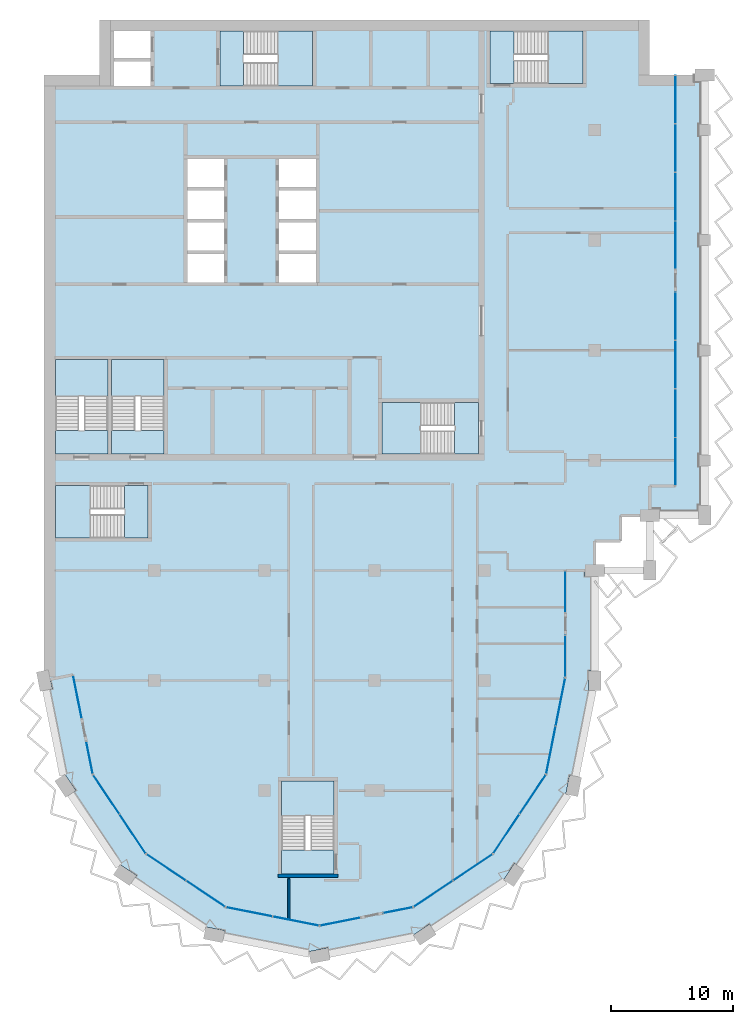
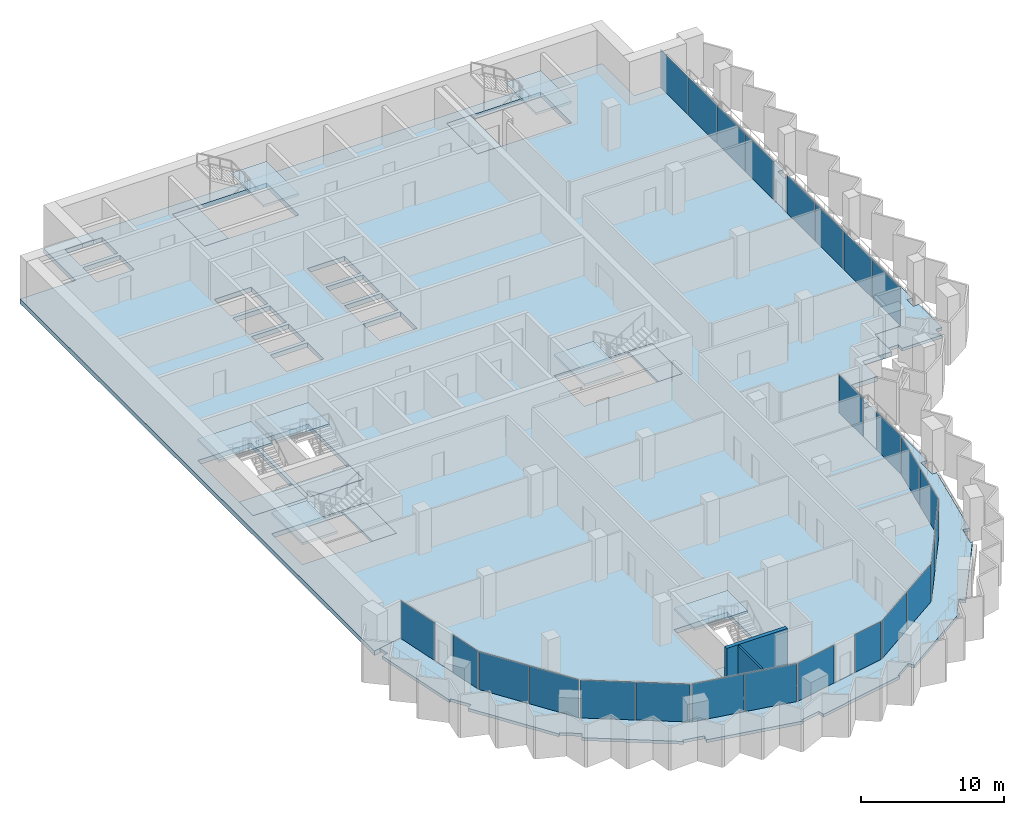
# One storey, part 6 of 16: 26 plates, 17 slabs, 2 walls, 21 elements without a shape of their own.
"""IFC4 building model written with IfcOpenShell, lengths in metres."""

from ifc_helpers import new_model, si_unit, direction, frame, frame_2d, origin, origin_2d, place, context, subcontext, project, spatial, polyline, rectangle, outline, extrude, material, layer, layer_set, type_object, element, aggregate, save


model = new_model("IFC4")

# Units and contexts
model_context = context("Model", 3, precision=1e-05, world=origin(), true_north=direction((0.0, 1.0)))
body_context = subcontext(model_context, "Body", "Model", "MODEL_VIEW")
ifc_project = project(units=[si_unit("LENGTHUNIT", "METRE"), si_unit("AREAUNIT", "SQUARE_METRE"), si_unit("VOLUMEUNIT", "CUBIC_METRE"), si_unit("PLANEANGLEUNIT", "RADIAN"), si_unit("MASSUNIT", "GRAM", prefix="KILO")], contexts=[model_context])

# Site, building, storey
site_placement = place(None, origin())
site = spatial("IfcSite", under=ifc_project, at=site_placement, CompositionType="ELEMENT")
building_placement = place(site_placement, origin())
building = spatial("IfcBuilding", under=site, at=building_placement, Name="Hunhe Ridgeline Campus", CompositionType="ELEMENT")
storey_placement = place(building_placement, frame((0.0, 0.0, 261.39990234375)))
storey = spatial("IfcBuildingStorey", under=building, at=storey_placement, Name="L67", CompositionType="ELEMENT", Elevation=261.39990234375)

# Curtain wall, plate
ifc_material_1 = material(Name="Aluminium 6063", Category="aluminium")
curtain_wall_type_1 = type_object("IfcCurtainWallType", Name="Curtain wall CW-5", PredefinedType="NOTDEFINED", material=ifc_material_1)
curtain_wall_1_placement = place(storey_placement, origin())
curtain_wall_1 = element("IfcCurtainWall", 1, at=curtain_wall_1_placement, inside=storey, type_object=curtain_wall_type_1, Name="Curtain wall 01", PredefinedType="NOTDEFINED")
ifc_material_2 = material(Name="Low-e laminated glass", Category="glass")
ifc_layer_1 = layer(ifc_material_2, 0.028076171875)
ifc_layer_set_1 = layer_set([ifc_layer_1], Name="Curtain wall glass panel 28 low-e laminated")
plate_type = type_object("IfcPlateType", Name="Curtain wall glass panel 28 low-e laminated", PredefinedType="CURTAIN_PANEL", material=ifc_layer_set_1)
plate_1_placement = place(storey_placement, frame((2.7158203125, 43.65380859375, 0.0), z_axis=(0.0, 0.0, 1.0), x_axis=(0.195095326561, -0.980784284924, 0.0)))
plate_1 = element("IfcPlate", 2, at=plate_1_placement, type_object=plate_type, Name="CW-5 panel 1", PredefinedType="CURTAIN_PANEL", context=body_context, shape_type="SweptSolid", body=[
    extrude(rectangle(XDim=3.560791015625, YDim=0.028076171875, at=origin_2d()), origin(), (0.0, 0.0, 1.0), 3.22998046875),
])
aggregate(curtain_wall_1, [plate_1])

curtain_wall_2_placement = place(storey_placement, origin())
curtain_wall_2 = element("IfcCurtainWall", 3, at=curtain_wall_2_placement, inside=storey, type_object=curtain_wall_type_1, Name="Curtain wall 02", PredefinedType="NOTDEFINED")
plate_2_placement = place(storey_placement, frame((3.701171875, 38.699951171875, 0.0), z_axis=(0.0, 0.0, 1.0), x_axis=(0.195095265587, -0.980784297053, 0.0)))
plate_2 = element("IfcPlate", 4, at=plate_2_placement, type_object=plate_type, Name="CW-5 panel 1", PredefinedType="CURTAIN_PANEL", context=body_context, shape_type="SweptSolid", body=[
    extrude(rectangle(XDim=2.660888671875, YDim=0.028076171875, at=origin_2d()), origin(), (0.0, 0.0, 1.0), 3.22998046875),
])
aggregate(curtain_wall_2, [plate_2])

# Curtain wall, plates
curtain_wall_3_placement = place(storey_placement, origin())
curtain_wall_3 = element("IfcCurtainWall", 5, at=curtain_wall_3_placement, inside=storey, type_object=curtain_wall_type_1, Name="Curtain wall 03", PredefinedType="NOTDEFINED")
plate_3_placement = place(storey_placement, frame((5.07080078125, 35.685546875, 0.0), z_axis=(0.0, 0.0, 1.0), x_axis=(0.555570274596, -0.831469584522, 0.0)))
plate_3 = element("IfcPlate", 6, at=plate_3_placement, type_object=plate_type, Name="CW-5 panel 1", PredefinedType="CURTAIN_PANEL", context=body_context, shape_type="SweptSolid", body=[
    extrude(rectangle(XDim=3.806884765625, YDim=0.028076171875, at=origin_2d()), origin(), (0.0, 0.0, 1.0), 3.22998046875),
])
plate_4_placement = place(storey_placement, frame((7.224609375, 32.4619140625, 0.0), z_axis=(0.0, 0.0, 1.0), x_axis=(0.555570274596, -0.831469584522, 0.0)))
plate_4 = element("IfcPlate", 7, at=plate_4_placement, type_object=plate_type, Name="CW-5 panel 2", PredefinedType="CURTAIN_PANEL", context=body_context, shape_type="SweptSolid", body=[
    extrude(rectangle(XDim=3.806884765625, YDim=0.028076171875, at=origin_2d()), origin(), (0.0, 0.0, 1.0), 3.22998046875),
])
aggregate(curtain_wall_3, [plate_3, plate_4])

curtain_wall_4_placement = place(storey_placement, origin())
curtain_wall_4 = element("IfcCurtainWall", 8, at=curtain_wall_4_placement, inside=storey, type_object=curtain_wall_type_1, Name="Curtain wall 04", PredefinedType="NOTDEFINED")
plate_5_placement = place(storey_placement, frame((9.9619140625, 29.724609375, 0.0), z_axis=(0.0, 0.0, 1.0), x_axis=(0.831469584522, -0.555570274596, 0.0)))
plate_5 = element("IfcPlate", 9, at=plate_5_placement, type_object=plate_type, Name="CW-5 panel 1", PredefinedType="CURTAIN_PANEL", context=body_context, shape_type="SweptSolid", body=[
    extrude(rectangle(XDim=3.806884765625, YDim=0.028076171875, at=origin_2d()), origin(), (0.0, 0.0, 1.0), 3.22998046875),
])
plate_6_placement = place(storey_placement, frame((13.185546875, 27.57080078125, 0.0), z_axis=(0.0, 0.0, 1.0), x_axis=(0.831469584522, -0.555570274596, 0.0)))
plate_6 = element("IfcPlate", 10, at=plate_6_placement, type_object=plate_type, Name="CW-5 panel 2", PredefinedType="CURTAIN_PANEL", context=body_context, shape_type="SweptSolid", body=[
    extrude(rectangle(XDim=3.806884765625, YDim=0.028076171875, at=origin_2d()), origin(), (0.0, 0.0, 1.0), 3.22998046875),
])
aggregate(curtain_wall_4, [plate_5, plate_6])

curtain_wall_5_placement = place(storey_placement, origin())
curtain_wall_5 = element("IfcCurtainWall", 11, at=curtain_wall_5_placement, inside=storey, type_object=curtain_wall_type_1, Name="Curtain wall 05", PredefinedType="NOTDEFINED")
plate_7_placement = place(storey_placement, frame((16.761962890625, 26.08935546875, 0.0), z_axis=(0.0, 0.0, 1.0), x_axis=(0.980785275326, -0.195090347539, 0.0)))
plate_7 = element("IfcPlate", 12, at=plate_7_placement, type_object=plate_type, Name="CW-5 panel 1", PredefinedType="CURTAIN_PANEL", context=body_context, shape_type="SweptSolid", body=[
    extrude(rectangle(XDim=3.806884765625, YDim=0.028076171875, at=origin_2d()), origin(), (0.0, 0.0, 1.0), 3.22998046875),
])
plate_8_placement = place(storey_placement, frame((20.564453125, 25.3330078125, 0.0), z_axis=(0.0, 0.0, 1.0), x_axis=(0.980785275326, -0.195090347539, 0.0)))
plate_8 = element("IfcPlate", 13, at=plate_8_placement, type_object=plate_type, Name="CW-5 panel 2", PredefinedType="CURTAIN_PANEL", context=body_context, shape_type="SweptSolid", body=[
    extrude(rectangle(XDim=3.806884765625, YDim=0.028076171875, at=origin_2d()), origin(), (0.0, 0.0, 1.0), 3.22998046875),
])
aggregate(curtain_wall_5, [plate_7, plate_8])

# Curtain wall, plate
curtain_wall_6_placement = place(storey_placement, origin())
curtain_wall_6 = element("IfcCurtainWall", 14, at=curtain_wall_6_placement, inside=storey, type_object=curtain_wall_type_1, Name="Curtain wall 06", PredefinedType="NOTDEFINED")
plate_9_placement = place(storey_placement, frame((24.19775390625, 25.28564453125, 0.0), z_axis=(0.0, 0.0, 1.0), x_axis=(0.980785270791, 0.19509037034, 0.0)))
plate_9 = element("IfcPlate", 15, at=plate_9_placement, type_object=plate_type, Name="CW-5 panel 1", PredefinedType="CURTAIN_PANEL", context=body_context, shape_type="SweptSolid", body=[
    extrude(rectangle(XDim=3.322021484375, YDim=0.028076171875, at=origin_2d()), origin(), (0.0, 0.0, 1.0), 3.22998046875),
])
aggregate(curtain_wall_6, [plate_9])

curtain_wall_7_placement = place(storey_placement, origin())
curtain_wall_7 = element("IfcCurtainWall", 16, at=curtain_wall_7_placement, inside=storey, type_object=curtain_wall_type_1, Name="Curtain wall 07", PredefinedType="NOTDEFINED")
plate_10_placement = place(storey_placement, frame((28.917236328125, 26.224609375, 0.0), z_axis=(0.0, 0.0, 1.0), x_axis=(0.980785242091, 0.195090514627, 0.0)))
plate_10 = element("IfcPlate", 17, at=plate_10_placement, type_object=plate_type, Name="CW-5 panel 1", PredefinedType="CURTAIN_PANEL", context=body_context, shape_type="SweptSolid", body=[
    extrude(rectangle(XDim=2.421875, YDim=0.028076171875, at=origin_2d()), origin(), (0.0, 0.0, 1.0), 3.22998046875),
])
aggregate(curtain_wall_7, [plate_10])

# Curtain wall, plates
curtain_wall_8_placement = place(storey_placement, origin())
curtain_wall_8 = element("IfcCurtainWall", 18, at=curtain_wall_8_placement, inside=storey, type_object=curtain_wall_type_1, Name="Curtain wall 08", PredefinedType="NOTDEFINED")
plate_11_placement = place(storey_placement, frame((31.814453125, 27.57080078125, 0.0), z_axis=(0.0, 0.0, 1.0), x_axis=(0.831469584522, 0.555570274596, 0.0)))
plate_11 = element("IfcPlate", 19, at=plate_11_placement, type_object=plate_type, Name="CW-5 panel 1", PredefinedType="CURTAIN_PANEL", context=body_context, shape_type="SweptSolid", body=[
    extrude(rectangle(XDim=3.806884765625, YDim=0.028076171875, at=origin_2d()), origin(), (0.0, 0.0, 1.0), 3.22998046875),
])
plate_12_placement = place(storey_placement, frame((35.0380859375, 29.724609375, 0.0), z_axis=(0.0, 0.0, 1.0), x_axis=(0.831469584522, 0.555570274596, 0.0)))
plate_12 = element("IfcPlate", 20, at=plate_12_placement, type_object=plate_type, Name="CW-5 panel 2", PredefinedType="CURTAIN_PANEL", context=body_context, shape_type="SweptSolid", body=[
    extrude(rectangle(XDim=3.806884765625, YDim=0.028076171875, at=origin_2d()), origin(), (0.0, 0.0, 1.0), 3.22998046875),
])
aggregate(curtain_wall_8, [plate_11, plate_12])

curtain_wall_9_placement = place(storey_placement, origin())
curtain_wall_9 = element("IfcCurtainWall", 21, at=curtain_wall_9_placement, inside=storey, type_object=curtain_wall_type_1, Name="Curtain wall 09", PredefinedType="NOTDEFINED")
plate_13_placement = place(storey_placement, frame((37.775390625, 32.4619140625, 0.0), z_axis=(0.0, 0.0, 1.0), x_axis=(0.555570274596, 0.831469584522, 0.0)))
plate_13 = element("IfcPlate", 22, at=plate_13_placement, type_object=plate_type, Name="CW-5 panel 1", PredefinedType="CURTAIN_PANEL", context=body_context, shape_type="SweptSolid", body=[
    extrude(rectangle(XDim=3.806884765625, YDim=0.028076171875, at=origin_2d()), origin(), (0.0, 0.0, 1.0), 3.22998046875),
])
plate_14_placement = place(storey_placement, frame((39.92919921875, 35.685546875, 0.0), z_axis=(0.0, 0.0, 1.0), x_axis=(0.555570274596, 0.831469584522, 0.0)))
plate_14 = element("IfcPlate", 23, at=plate_14_placement, type_object=plate_type, Name="CW-5 panel 2", PredefinedType="CURTAIN_PANEL", context=body_context, shape_type="SweptSolid", body=[
    extrude(rectangle(XDim=3.806884765625, YDim=0.028076171875, at=origin_2d()), origin(), (0.0, 0.0, 1.0), 3.22998046875),
])
aggregate(curtain_wall_9, [plate_13, plate_14])

curtain_wall_10_placement = place(storey_placement, origin())
curtain_wall_10 = element("IfcCurtainWall", 24, at=curtain_wall_10_placement, inside=storey, type_object=curtain_wall_type_1, Name="Curtain wall 10", PredefinedType="NOTDEFINED")
plate_15_placement = place(storey_placement, frame((41.42236328125, 39.321044921875, 0.0), z_axis=(0.0, 0.0, 1.0), x_axis=(0.195090299215, 0.980785284939, 0.0)))
plate_15 = element("IfcPlate", 25, at=plate_15_placement, type_object=plate_type, Name="CW-5 panel 1", PredefinedType="CURTAIN_PANEL", context=body_context, shape_type="SweptSolid", body=[
    extrude(rectangle(XDim=3.927490234375, YDim=0.028076171875, at=origin_2d()), origin(), (0.0, 0.0, 1.0), 3.22998046875),
])
plate_16_placement = place(storey_placement, frame((42.2021484375, 43.24169921875, 0.0), z_axis=(0.0, 0.0, 1.0), x_axis=(0.195090299215, 0.980785284939, 0.0)))
plate_16 = element("IfcPlate", 26, at=plate_16_placement, type_object=plate_type, Name="CW-5 panel 2", PredefinedType="CURTAIN_PANEL", context=body_context, shape_type="SweptSolid", body=[
    extrude(rectangle(XDim=3.927490234375, YDim=0.028076171875, at=origin_2d()), origin(), (0.0, 0.0, 1.0), 3.22998046875),
])
aggregate(curtain_wall_10, [plate_15, plate_16])

# Curtain wall, plate
curtain_wall_type_2 = type_object("IfcCurtainWallType", Name="Curtain wall CW-1", PredefinedType="NOTDEFINED", material=ifc_material_1)
curtain_wall_11_placement = place(storey_placement, origin())
curtain_wall_11 = element("IfcCurtainWall", 27, at=curtain_wall_11_placement, inside=storey, type_object=curtain_wall_type_2, Name="Curtain wall 11", PredefinedType="NOTDEFINED")
plate_17_placement = place(storey_placement, frame((42.59912109375, 46.9775390625, 0.0), z_axis=(0.0, 0.0, 1.0), x_axis=(1.9241592e-05, 0.999999999815, 0.0)))
plate_17 = element("IfcPlate", 28, at=plate_17_placement, type_object=plate_type, Name="CW-1 panel 1", PredefinedType="CURTAIN_PANEL", context=body_context, shape_type="SweptSolid", body=[
    extrude(rectangle(XDim=3.362060546875, YDim=0.028076171875, at=origin_2d()), origin(), (0.0, 0.0, 1.0), 3.239990234375),
])
aggregate(curtain_wall_11, [plate_17])

curtain_wall_12_placement = place(storey_placement, origin())
curtain_wall_12 = element("IfcCurtainWall", 29, at=curtain_wall_12_placement, inside=storey, type_object=curtain_wall_type_2, Name="Curtain wall 12", PredefinedType="NOTDEFINED")
plate_18_placement = place(storey_placement, frame((42.59912109375, 52.259521484375, 0.0), z_axis=(0.0, 0.0, 1.0), x_axis=(1.9241592e-05, 0.999999999815, 0.0)))
plate_18 = element("IfcPlate", 30, at=plate_18_placement, type_object=plate_type, Name="CW-1 panel 1", PredefinedType="CURTAIN_PANEL", context=body_context, shape_type="SweptSolid", body=[
    extrude(rectangle(XDim=3.362060546875, YDim=0.028076171875, at=origin_2d()), origin(), (0.0, 0.0, 1.0), 3.239990234375),
])
aggregate(curtain_wall_12, [plate_18])

# Curtain wall, plates
curtain_wall_13_placement = place(storey_placement, origin())
curtain_wall_13 = element("IfcCurtainWall", 31, at=curtain_wall_13_placement, inside=storey, type_object=curtain_wall_type_2, Name="Curtain wall 13", PredefinedType="NOTDEFINED")
plate_19_placement = place(storey_placement, frame((51.59912109375, 62.9033203125, 0.0), z_axis=(0.0, 0.0, 1.0), x_axis=(0.0, 1.0, 0.0)))
plate_19 = element("IfcPlate", 32, at=plate_19_placement, type_object=plate_type, Name="CW-1 panel 1", PredefinedType="CURTAIN_PANEL", context=body_context, shape_type="SweptSolid", body=[
    extrude(rectangle(XDim=3.884765625, YDim=0.028076171875, at=origin_2d()), origin(), (0.0, 0.0, 1.0), 3.239990234375),
])
plate_20_placement = place(storey_placement, frame((51.59912109375, 66.86328125, 0.0), z_axis=(0.0, 0.0, 1.0), x_axis=(0.0, 1.0, 0.0)))
plate_20 = element("IfcPlate", 33, at=plate_20_placement, type_object=plate_type, Name="CW-1 panel 2", PredefinedType="CURTAIN_PANEL", context=body_context, shape_type="SweptSolid", body=[
    extrude(rectangle(XDim=3.914794921875, YDim=0.028076171875, at=origin_2d()), origin(), (0.0, 0.0, 1.0), 3.239990234375),
])
plate_21_placement = place(storey_placement, frame((51.59912109375, 70.838134765625, 0.0), z_axis=(0.0, 0.0, 1.0), x_axis=(0.0, 1.0, 0.0)))
plate_21 = element("IfcPlate", 34, at=plate_21_placement, type_object=plate_type, Name="CW-1 panel 3", PredefinedType="CURTAIN_PANEL", context=body_context, shape_type="SweptSolid", body=[
    extrude(rectangle(XDim=3.914794921875, YDim=0.028076171875, at=origin_2d()), origin(), (0.0, 0.0, 1.0), 3.239990234375),
])
plate_22_placement = place(storey_placement, frame((51.59912109375, 74.798095703125, 0.0), z_axis=(0.0, 0.0, 1.0), x_axis=(0.0, 1.0, 0.0)))
plate_22 = element("IfcPlate", 35, at=plate_22_placement, type_object=plate_type, Name="CW-1 panel 4", PredefinedType="CURTAIN_PANEL", context=body_context, shape_type="SweptSolid", body=[
    extrude(rectangle(XDim=3.884765625, YDim=0.028076171875, at=origin_2d()), origin(), (0.0, 0.0, 1.0), 3.239990234375),
])
aggregate(curtain_wall_13, [plate_19, plate_20, plate_21, plate_22])

curtain_wall_14_placement = place(storey_placement, origin())
curtain_wall_14 = element("IfcCurtainWall", 36, at=curtain_wall_14_placement, inside=storey, type_object=curtain_wall_type_2, Name="Curtain wall 14", PredefinedType="NOTDEFINED")
plate_23_placement = place(storey_placement, frame((51.59912109375, 80.60302734375, 0.0), z_axis=(0.0, 0.0, 1.0), x_axis=(0.0, 1.0, 0.0)))
plate_23 = element("IfcPlate", 37, at=plate_23_placement, type_object=plate_type, Name="CW-1 panel 1", PredefinedType="CURTAIN_PANEL", context=body_context, shape_type="SweptSolid", body=[
    extrude(rectangle(XDim=3.884765625, YDim=0.028076171875, at=origin_2d()), origin(), (0.0, 0.0, 1.0), 3.239990234375),
])
plate_24_placement = place(storey_placement, frame((51.59912109375, 84.562744140625, 0.0), z_axis=(0.0, 0.0, 1.0), x_axis=(0.0, 1.0, 0.0)))
plate_24 = element("IfcPlate", 38, at=plate_24_placement, type_object=plate_type, Name="CW-1 panel 2", PredefinedType="CURTAIN_PANEL", context=body_context, shape_type="SweptSolid", body=[
    extrude(rectangle(XDim=3.914794921875, YDim=0.028076171875, at=origin_2d()), origin(), (0.0, 0.0, 1.0), 3.239990234375),
])
plate_25_placement = place(storey_placement, frame((51.59912109375, 88.53759765625, 0.0), z_axis=(0.0, 0.0, 1.0), x_axis=(0.0, 1.0, 0.0)))
plate_25 = element("IfcPlate", 39, at=plate_25_placement, type_object=plate_type, Name="CW-1 panel 3", PredefinedType="CURTAIN_PANEL", context=body_context, shape_type="SweptSolid", body=[
    extrude(rectangle(XDim=3.914794921875, YDim=0.028076171875, at=origin_2d()), origin(), (0.0, 0.0, 1.0), 3.239990234375),
])
plate_26_placement = place(storey_placement, frame((51.59912109375, 92.49755859375, 0.0), z_axis=(0.0, 0.0, 1.0), x_axis=(0.0, 1.0, 0.0)))
plate_26 = element("IfcPlate", 40, at=plate_26_placement, type_object=plate_type, Name="CW-1 panel 4", PredefinedType="CURTAIN_PANEL", context=body_context, shape_type="SweptSolid", body=[
    extrude(rectangle(XDim=3.884765625, YDim=0.028076171875, at=origin_2d()), origin(), (0.0, 0.0, 1.0), 3.239990234375),
])
aggregate(curtain_wall_14, [plate_23, plate_24, plate_25, plate_26])

# Slabs
ifc_material_3 = material(Name="Concrete C40", Category="concrete")
ifc_layer_2 = layer(ifc_material_3, 0.39990234375)
ifc_layer_set_2 = layer_set([ifc_layer_2], Name="Floor slab 400 Concrete C40")
slab_type_1 = type_object("IfcSlabType", Name="Floor slab 400 Concrete C40", PredefinedType="FLOOR", material=ifc_layer_set_2)
slab_1_placement = place(storey_placement, frame((0.0, 0.0, -0.39990234375)))
element("IfcSlab", 41, at=slab_1_placement, inside=storey, type_object=slab_type_1, Name="Floor slab L67 1", PredefinedType="FLOOR", context=body_context, shape_type="SweptSolid", body=[
    extrude(outline(polyline([(36.678955078125, 30.821044921875), (41.025634765625, 37.326416015625), (42.59912109375, 45.236572265625), (42.59912109375, 54.00048828125), (44.9990234375, 54.0009765625), (44.999267578125, 56.400634765625), (47.09912109375, 56.40087890625), (47.099609375, 58.5009765625), (49.4990234375, 58.5009765625), (49.49951171875, 60.90087890625), (51.59912109375, 60.90087890625), (51.59912109375, 94.5), (49.5, 94.5), (49.5, 99.0), (4.5, 99.0), (4.5, 94.5), (0.0, 94.5), (0.0, 45.0009765625), (2.354736328125, 45.46875), (3.974365234375, 37.326416015625), (8.321044921875, 30.821044921875), (14.826416015625, 26.474365234375), (22.5, 24.947998046875), (30.173583984375, 26.474365234375), (36.678955078125, 30.821044921875)]), holes=[polyline([(36.449951171875, 98.10009765625), (36.449951171875, 93.800048828125), (44.050048828125, 93.800048828125), (44.050048828125, 98.10009765625), (36.449951171875, 98.10009765625)]), polyline([(27.60009765625, 63.5), (35.5, 63.5), (35.5, 67.75), (27.60009765625, 67.75), (27.60009765625, 63.5)]), polyline([(19.39990234375, 36.800048828125), (19.39990234375, 29.199951171875), (23.699951171875, 29.199951171875), (23.699951171875, 36.800048828125), (19.39990234375, 36.800048828125)]), polyline([(22.199951171875, 87.64990234375), (19.199951171875, 87.64990234375), (19.199951171875, 85.35009765625), (22.199951171875, 85.35009765625), (22.199951171875, 87.64990234375)]), polyline([(22.199951171875, 77.550048828125), (22.199951171875, 79.85009765625), (19.199951171875, 79.85009765625), (19.199951171875, 77.550048828125), (22.199951171875, 77.550048828125)]), polyline([(19.199951171875, 85.050048828125), (19.199951171875, 82.75), (22.199951171875, 82.75), (22.199951171875, 85.050048828125), (19.199951171875, 85.050048828125)]), polyline([(19.199951171875, 80.14990234375), (22.199951171875, 80.14990234375), (22.199951171875, 82.449951171875), (19.199951171875, 82.449951171875), (19.199951171875, 80.14990234375)]), polyline([(14.35009765625, 98.10009765625), (14.35009765625, 93.60009765625), (21.949951171875, 93.60009765625), (21.949951171875, 98.10009765625), (14.35009765625, 98.10009765625)]), polyline([(14.699951171875, 87.64990234375), (11.699951171875, 87.64990234375), (11.699951171875, 85.35009765625), (14.699951171875, 85.35009765625), (14.699951171875, 87.64990234375)]), polyline([(14.699951171875, 77.550048828125), (14.699951171875, 79.85009765625), (11.699951171875, 79.85009765625), (11.699951171875, 77.550048828125), (14.699951171875, 77.550048828125)]), polyline([(11.699951171875, 85.050048828125), (11.699951171875, 82.75), (14.699951171875, 82.75), (14.699951171875, 85.050048828125), (11.699951171875, 85.050048828125)]), polyline([(11.699951171875, 80.14990234375), (14.699951171875, 80.14990234375), (14.699951171875, 82.449951171875), (11.699951171875, 82.449951171875), (11.699951171875, 80.14990234375)]), polyline([(9.800048828125, 63.5), (9.800048828125, 71.25), (5.5, 71.25), (5.5, 63.5), (9.800048828125, 63.5)]), polyline([(8.699951171875, 93.60009765625), (8.699951171875, 95.60009765625), (5.699951171875, 95.60009765625), (5.699951171875, 93.60009765625), (8.699951171875, 93.60009765625)]), polyline([(5.699951171875, 95.89990234375), (8.699951171875, 95.89990234375), (8.699951171875, 98.10009765625), (5.699951171875, 98.10009765625), (5.699951171875, 95.89990234375)]), polyline([(0.89990234375, 60.949951171875), (0.89990234375, 56.64990234375), (8.5, 56.64990234375), (8.5, 60.949951171875), (0.89990234375, 60.949951171875)]), polyline([(5.199951171875, 71.25), (0.89990234375, 71.25), (0.89990234375, 63.5), (5.199951171875, 63.5), (5.199951171875, 71.25)])]), origin(), (0.0, 0.0, 1.0), 0.39990234375),
])
ifc_layer_3 = layer(ifc_material_3, 0.25)
ifc_layer_set_3 = layer_set([ifc_layer_3], Name="Loggia slab 250 Concrete C40")
slab_type_2 = type_object("IfcSlabType", Name="Loggia slab 250 Concrete C40", PredefinedType="FLOOR", material=ifc_layer_set_3)
slab_2_placement = place(storey_placement, frame((0.0, 0.0, -0.25)))
element("IfcSlab", 42, at=slab_2_placement, inside=storey, type_object=slab_type_2, Name="Loggia slab 1", PredefinedType="FLOOR", context=body_context, shape_type="SweptSolid", body=[
    extrude(outline(polyline([(30.173828125, 26.473388671875), (22.5, 24.947021484375), (14.826171875, 26.473388671875), (8.3203125, 30.8203125), (3.973388671875, 37.326171875), (2.35400390625, 45.46826171875), (0.490478515625, 45.09765625), (0.646484375, 44.31298828125), (0.156005859375, 44.21533203125), (1.543701171875, 37.239013671875), (1.68408203125, 37.33251953125), (2.572998046875, 36.002197265625), (2.1572265625, 35.724365234375), (6.109130859375, 29.81005859375), (6.20263671875, 29.9501953125), (7.532958984375, 29.061279296875), (7.25537109375, 28.645751953125), (13.169677734375, 24.69384765625), (13.20263671875, 24.859130859375), (14.771728515625, 24.547119140625), (14.67431640625, 24.056640625), (21.650634765625, 22.6689453125), (21.617919921875, 22.834228515625), (23.18701171875, 23.146484375), (23.28466796875, 22.656005859375), (30.260986328125, 24.043701171875), (30.16748046875, 24.18408203125), (31.497802734375, 25.072998046875), (31.775634765625, 24.6572265625), (37.68994140625, 28.609130859375), (37.5498046875, 28.70263671875), (38.438720703125, 30.032958984375), (38.854248046875, 29.75537109375), (42.80615234375, 35.669677734375), (42.640869140625, 35.70263671875), (42.952880859375, 37.271728515625), (43.443359375, 37.17431640625), (44.8408203125, 44.199951171875), (44.5, 44.199951171875), (44.5, 45.800048828125), (45.0, 45.800048828125), (45.0, 53.5), (44.199951171875, 53.5), (44.199951171875, 54.0), (42.60009765625, 54.0), (42.60009765625, 45.236328125), (41.026611328125, 37.326171875), (36.6796875, 30.8203125), (30.173828125, 26.473388671875)])), origin(), (0.0, 0.0, 1.0), 0.25),
])
slab_3_placement = place(storey_placement, frame((0.0, 0.0, -0.25)))
element("IfcSlab", 43, at=slab_3_placement, inside=storey, type_object=slab_type_2, Name="Loggia slab 2", PredefinedType="FLOOR", context=body_context, shape_type="SweptSolid", body=[
    extrude(outline(polyline([(49.5, 59.0), (50.300048828125, 59.0), (50.300048828125, 58.5), (53.5, 58.5), (53.5, 59.300048828125), (54.0, 59.300048828125), (54.0, 62.550048828125), (53.550048828125, 62.550048828125), (53.550048828125, 63.449951171875), (54.0, 63.449951171875), (54.0, 71.550048828125), (53.550048828125, 71.550048828125), (53.550048828125, 72.449951171875), (54.0, 72.449951171875), (54.0, 80.550048828125), (53.550048828125, 80.550048828125), (53.550048828125, 81.449951171875), (54.0, 81.449951171875), (54.0, 89.550048828125), (53.550048828125, 89.550048828125), (53.550048828125, 90.449951171875), (54.0, 90.449951171875), (54.0, 94.0), (53.199951171875, 94.0), (53.199951171875, 94.5), (51.60009765625, 94.5), (51.60009765625, 60.89990234375), (49.5, 60.89990234375), (49.5, 59.0)])), origin(), (0.0, 0.0, 1.0), 0.25),
])

# Stair, slab
stair_type = type_object("IfcStairType", Name="Reinforced concrete dog-leg stair 1950 Concrete C40", PredefinedType="HALF_TURN_STAIR", material=ifc_material_3)
stair_1_placement = place(storey_placement, origin())
stair_1 = element("IfcStair", 44, at=stair_1_placement, inside=storey, type_object=stair_type, Name="L67 S1", PredefinedType="HALF_TURN_STAIR")
ifc_layer_4 = layer(ifc_material_3, 0.199951171875)
ifc_layer_set_4 = layer_set([ifc_layer_4], Name="Reinforced concrete stair landing 200 Concrete C40")
slab_type_3 = type_object("IfcSlabType", Name="Reinforced concrete stair landing 200 Concrete C40", PredefinedType="LANDING", material=ifc_layer_set_4)
slab_4_placement = place(storey_placement, frame((0.0, 0.0, 1.650146484375)))
slab_4 = element("IfcSlab", 45, at=slab_4_placement, type_object=slab_type_3, Name="ST1 landing 1", PredefinedType="LANDING", context=body_context, shape_type="SweptSolid", body=[
    extrude(outline(polyline([(19.10009765625, 93.60009765625), (21.949951171875, 93.60009765625), (21.949951171875, 98.10009765625), (19.10009765625, 98.10009765625), (19.10009765625, 93.60009765625)])), origin(), (0.0, 0.0, 1.0), 0.199951171875),
])
aggregate(stair_1, [slab_4])

# Slab
slab_5_placement = place(storey_placement, frame((0.0, 0.0, -0.199951171875)))
element("IfcSlab", 46, at=slab_5_placement, inside=storey, type_object=slab_type_3, Name="L67 stair S1 floor landing", PredefinedType="LANDING", context=body_context, shape_type="SweptSolid", body=[
    extrude(outline(polyline([(14.35009765625, 93.60009765625), (16.300048828125, 93.60009765625), (16.300048828125, 98.10009765625), (14.35009765625, 98.10009765625), (14.35009765625, 93.60009765625)])), origin(), (0.0, 0.0, 1.0), 0.199951171875),
])

# Stair, slab
stair_2_placement = place(storey_placement, origin())
stair_2 = element("IfcStair", 47, at=stair_2_placement, inside=storey, type_object=stair_type, Name="L67 S2", PredefinedType="HALF_TURN_STAIR")
slab_6_placement = place(storey_placement, frame((0.0, 0.0, 1.650146484375)))
slab_6 = element("IfcSlab", 48, at=slab_6_placement, type_object=slab_type_3, Name="ST2 landing 1", PredefinedType="LANDING", context=body_context, shape_type="SweptSolid", body=[
    extrude(outline(polyline([(30.75, 67.75), (27.60009765625, 67.75), (27.60009765625, 63.5), (30.75, 63.5), (30.75, 67.75)])), origin(), (0.0, 0.0, 1.0), 0.199951171875),
])
aggregate(stair_2, [slab_6])

# Slab
slab_7_placement = place(storey_placement, frame((0.0, 0.0, -0.199951171875)))
element("IfcSlab", 49, at=slab_7_placement, inside=storey, type_object=slab_type_3, Name="L67 stair S2 floor landing", PredefinedType="LANDING", context=body_context, shape_type="SweptSolid", body=[
    extrude(outline(polyline([(35.5, 67.75), (33.550048828125, 67.75), (33.550048828125, 63.5), (35.5, 63.5), (35.5, 67.75)])), origin(), (0.0, 0.0, 1.0), 0.199951171875),
])

# Stair, slab
stair_3_placement = place(storey_placement, origin())
stair_3 = element("IfcStair", 50, at=stair_3_placement, inside=storey, type_object=stair_type, Name="L67 S3", PredefinedType="HALF_TURN_STAIR")
slab_8_placement = place(storey_placement, frame((0.0, 0.0, 1.650146484375)))
slab_8 = element("IfcSlab", 51, at=slab_8_placement, type_object=slab_type_3, Name="ST3 landing 1", PredefinedType="LANDING", context=body_context, shape_type="SweptSolid", body=[
    extrude(outline(polyline([(5.199951171875, 68.25), (5.199951171875, 71.25), (0.89990234375, 71.25), (0.89990234375, 68.25), (5.199951171875, 68.25)])), origin(), (0.0, 0.0, 1.0), 0.199951171875),
])
aggregate(stair_3, [slab_8])

# Slab
slab_9_placement = place(storey_placement, frame((0.0, 0.0, -0.199951171875)))
element("IfcSlab", 52, at=slab_9_placement, inside=storey, type_object=slab_type_3, Name="L67 stair S3 floor landing", PredefinedType="LANDING", context=body_context, shape_type="SweptSolid", body=[
    extrude(outline(polyline([(5.199951171875, 63.5), (5.199951171875, 65.449951171875), (0.89990234375, 65.449951171875), (0.89990234375, 63.5), (5.199951171875, 63.5)])), origin(), (0.0, 0.0, 1.0), 0.199951171875),
])

# Stair, slab
stair_4_placement = place(storey_placement, origin())
stair_4 = element("IfcStair", 53, at=stair_4_placement, inside=storey, type_object=stair_type, Name="L67 S4", PredefinedType="HALF_TURN_STAIR")
slab_10_placement = place(storey_placement, frame((0.0, 0.0, 1.650146484375)))
slab_10 = element("IfcSlab", 54, at=slab_10_placement, type_object=slab_type_3, Name="ST4 landing 1", PredefinedType="LANDING", context=body_context, shape_type="SweptSolid", body=[
    extrude(outline(polyline([(9.800048828125, 68.25), (9.800048828125, 71.25), (5.5, 71.25), (5.5, 68.25), (9.800048828125, 68.25)])), origin(), (0.0, 0.0, 1.0), 0.199951171875),
])
aggregate(stair_4, [slab_10])

# Slab
slab_11_placement = place(storey_placement, frame((0.0, 0.0, -0.199951171875)))
element("IfcSlab", 55, at=slab_11_placement, inside=storey, type_object=slab_type_3, Name="L67 stair S4 floor landing", PredefinedType="LANDING", context=body_context, shape_type="SweptSolid", body=[
    extrude(outline(polyline([(9.800048828125, 63.5), (9.800048828125, 65.449951171875), (5.5, 65.449951171875), (5.5, 63.5), (9.800048828125, 63.5)])), origin(), (0.0, 0.0, 1.0), 0.199951171875),
])

# Stair, slab
stair_5_placement = place(storey_placement, origin())
stair_5 = element("IfcStair", 56, at=stair_5_placement, inside=storey, type_object=stair_type, Name="L67 E1", PredefinedType="HALF_TURN_STAIR")
slab_12_placement = place(storey_placement, frame((0.0, 0.0, 1.650146484375)))
slab_12 = element("IfcSlab", 57, at=slab_12_placement, type_object=slab_type_3, Name="ST5 landing 1", PredefinedType="LANDING", context=body_context, shape_type="SweptSolid", body=[
    extrude(outline(polyline([(41.199951171875, 93.800048828125), (44.050048828125, 93.800048828125), (44.050048828125, 98.10009765625), (41.199951171875, 98.10009765625), (41.199951171875, 93.800048828125)])), origin(), (0.0, 0.0, 1.0), 0.199951171875),
])
aggregate(stair_5, [slab_12])

# Slab
slab_13_placement = place(storey_placement, frame((0.0, 0.0, -0.199951171875)))
element("IfcSlab", 58, at=slab_13_placement, inside=storey, type_object=slab_type_3, Name="L67 stair E1 floor landing", PredefinedType="LANDING", context=body_context, shape_type="SweptSolid", body=[
    extrude(outline(polyline([(36.449951171875, 93.800048828125), (38.39990234375, 93.800048828125), (38.39990234375, 98.10009765625), (36.449951171875, 98.10009765625), (36.449951171875, 93.800048828125)])), origin(), (0.0, 0.0, 1.0), 0.199951171875),
])

# Stair, slab
stair_6_placement = place(storey_placement, origin())
stair_6 = element("IfcStair", 59, at=stair_6_placement, inside=storey, type_object=stair_type, Name="L67 W3", PredefinedType="HALF_TURN_STAIR")
slab_14_placement = place(storey_placement, frame((0.0, 0.0, 1.650146484375)))
slab_14 = element("IfcSlab", 60, at=slab_14_placement, type_object=slab_type_3, Name="ST9 landing 1", PredefinedType="LANDING", context=body_context, shape_type="SweptSolid", body=[
    extrude(outline(polyline([(23.699951171875, 33.949951171875), (23.699951171875, 36.800048828125), (19.39990234375, 36.800048828125), (19.39990234375, 33.949951171875), (23.699951171875, 33.949951171875)])), origin(), (0.0, 0.0, 1.0), 0.199951171875),
])
aggregate(stair_6, [slab_14])

# Slab
slab_15_placement = place(storey_placement, frame((0.0, 0.0, -0.199951171875)))
element("IfcSlab", 61, at=slab_15_placement, inside=storey, type_object=slab_type_3, Name="L67 stair W3 floor landing", PredefinedType="LANDING", context=body_context, shape_type="SweptSolid", body=[
    extrude(outline(polyline([(23.699951171875, 29.199951171875), (23.699951171875, 31.14990234375), (19.39990234375, 31.14990234375), (19.39990234375, 29.199951171875), (23.699951171875, 29.199951171875)])), origin(), (0.0, 0.0, 1.0), 0.199951171875),
])

# Stair, slab
stair_7_placement = place(storey_placement, origin())
stair_7 = element("IfcStair", 62, at=stair_7_placement, inside=storey, type_object=stair_type, Name="L67 W2", PredefinedType="HALF_TURN_STAIR")
slab_16_placement = place(storey_placement, frame((0.0, 0.0, 1.650146484375)))
slab_16 = element("IfcSlab", 63, at=slab_16_placement, type_object=slab_type_3, Name="ST12 landing 1", PredefinedType="LANDING", context=body_context, shape_type="SweptSolid", body=[
    extrude(outline(polyline([(3.75, 60.949951171875), (0.89990234375, 60.949951171875), (0.89990234375, 56.64990234375), (3.75, 56.64990234375), (3.75, 60.949951171875)])), origin(), (0.0, 0.0, 1.0), 0.199951171875),
])
aggregate(stair_7, [slab_16])

# Slab
slab_17_placement = place(storey_placement, frame((0.0, 0.0, -0.199951171875)))
element("IfcSlab", 64, at=slab_17_placement, inside=storey, type_object=slab_type_3, Name="L67 stair W2 floor landing", PredefinedType="LANDING", context=body_context, shape_type="SweptSolid", body=[
    extrude(outline(polyline([(8.5, 60.949951171875), (6.550048828125, 60.949951171875), (6.550048828125, 56.64990234375), (8.5, 56.64990234375), (8.5, 60.949951171875)])), origin(), (0.0, 0.0, 1.0), 0.199951171875),
])

# Walls
ifc_material_4 = material(Name="Gypsum board partition")
ifc_layer_5 = layer(ifc_material_4, 0.14990234375)
ifc_layer_set_5 = layer_set([ifc_layer_5], Name="Room partition 150 gypsum board on steel studs")
wall_type_1 = type_object("IfcWallType", Name="Room partition 150 gypsum board on steel studs", PredefinedType="PARTITIONING", material=ifc_layer_set_5)
wall_1_placement = place(storey_placement, frame((20.0, 28.7958984375, 0.0), z_axis=(0.0, 0.0, 1.0), x_axis=(0.0, -1.0, 0.0)))
element("IfcWall", 65, at=wall_1_placement, inside=storey, type_object=wall_type_1, Name="F-L67-wall-032", PredefinedType="PARTITIONING", context=body_context, shape_type="SweptSolid", body=[
    extrude(rectangle(XDim=3.29541015625, YDim=0.14990234375, at=frame_2d((1.647705078125, 0.0))), origin(), (0.0, 0.0, 1.0), 3.300048828125),
])
ifc_material_5 = material(Name="Concrete C50", Category="concrete")
ifc_layer_6 = layer(ifc_material_5, 0.300048828125)
ifc_layer_set_6 = layer_set([ifc_layer_6], Name="Stair wall 300 reinforced concrete C50")
wall_type_2 = type_object("IfcWallType", Name="Stair wall 300 reinforced concrete C50", PredefinedType="SOLIDWALL", material=ifc_layer_set_6)
wall_2_placement = place(storey_placement, frame((19.10009765625, 29.050048828125, -0.39990234375), z_axis=(0.0, 0.0, 1.0), x_axis=(1.0, 0.0, 0.0)))
element("IfcWall", 66, at=wall_2_placement, inside=storey, type_object=wall_type_2, Name="L67 core wall 1", PredefinedType="SOLIDWALL", context=body_context, shape_type="SweptSolid", body=[
    extrude(rectangle(XDim=4.89990234375, YDim=0.300048828125, at=frame_2d((2.449951171875, 0.0))), origin(), (0.0, 0.0, 1.0), 3.699951171875),
])

save(model, "model.ifc")
